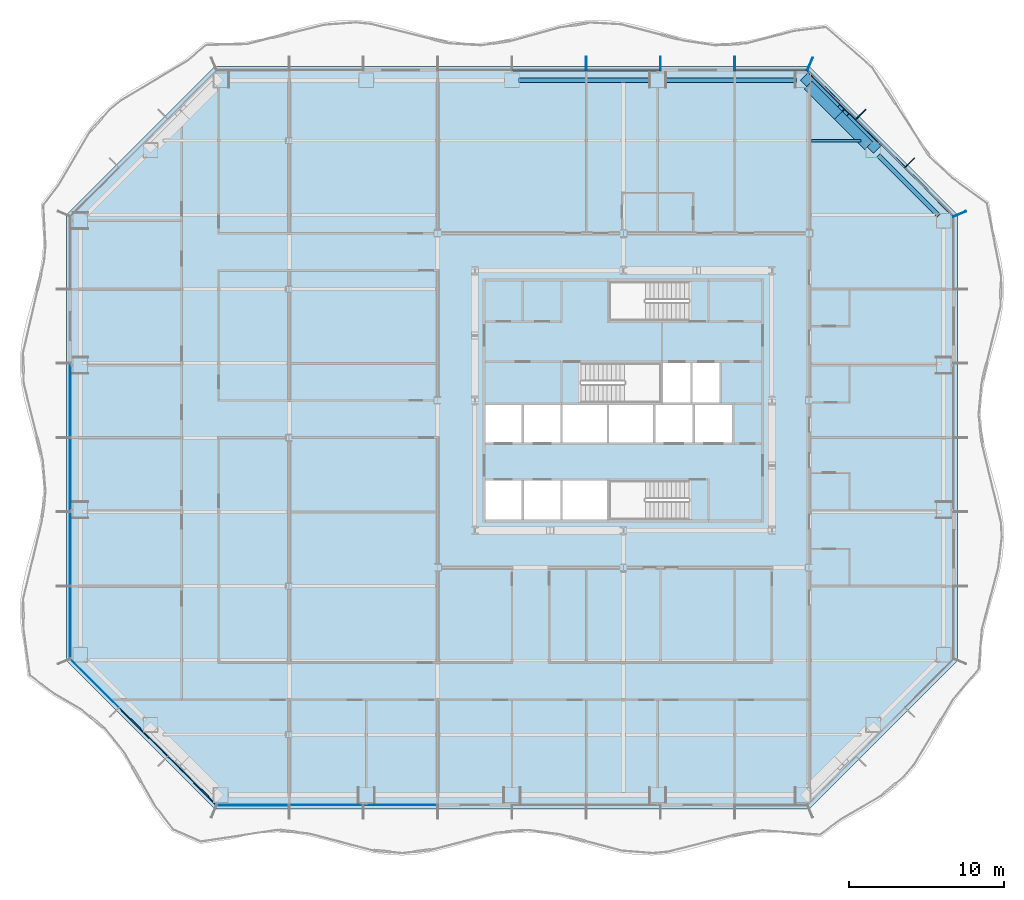
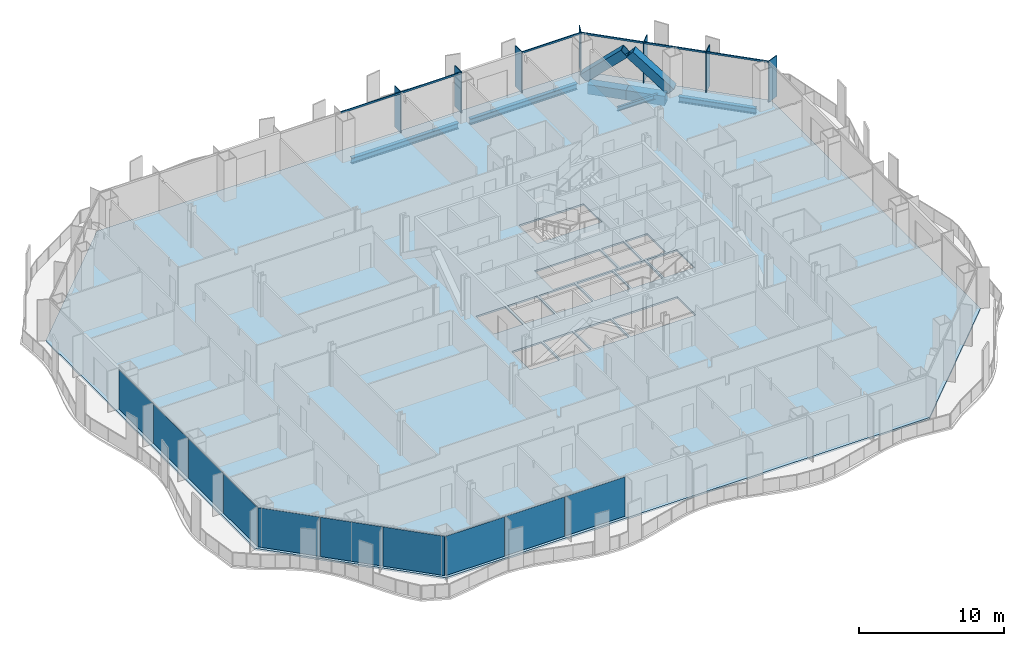
# One storey, part 4 of 21: 15 members, 10 plates, 6 beams, 1 slab, 5 elements without a shape of their own.
"""IFC4 building model written with IfcOpenShell, lengths in metres."""

from ifc_helpers import new_model, si_unit, direction, frame, origin, origin_2d, place, context, subcontext, project, spatial, polyline, rectangle, hollow_rectangle, i_section, outline, extrude, material, layer, layer_set, material_profile, profile_set, type_object, element, aggregate, save


model = new_model("IFC4")

# Units and contexts
model_context = context("Model", 3, precision=1e-05, world=origin(), true_north=direction((0.0, 1.0)))
body_context = subcontext(model_context, "Body", "Model", "MODEL_VIEW")
ifc_project = project(units=[si_unit("LENGTHUNIT", "METRE"), si_unit("AREAUNIT", "SQUARE_METRE"), si_unit("VOLUMEUNIT", "CUBIC_METRE"), si_unit("PLANEANGLEUNIT", "RADIAN"), si_unit("MASSUNIT", "GRAM", prefix="KILO")], contexts=[model_context])

# Site, building, storey
site_placement = place(None, origin())
site = spatial("IfcSite", under=ifc_project, at=site_placement, CompositionType="ELEMENT")
building_placement = place(site_placement, origin())
building = spatial("IfcBuilding", under=site, at=building_placement, Name="Cairn Pilgrim Tower", CompositionType="ELEMENT")
storey_placement = place(building_placement, frame((0.0, 0.0, 58.199951171875)))
storey = spatial("IfcBuildingStorey", under=building, at=storey_placement, Name="L12", CompositionType="ELEMENT", Elevation=58.199951171875)

# Members
ifc_material_1 = material(Name="Structural steel S460M", Category="steel")
ifc_material_profile_1 = material_profile(ifc_material_1, hollow_rectangle(XDim=0.699951171875, YDim=0.699951171875, WallThickness=0.0400390625, at=origin_2d()), Name="BOX 700x700x40")
ifc_profile_set_1 = profile_set([ifc_material_profile_1], Name="Structural steel S460M")
member_type_1 = type_object("IfcMemberType", Name="BOX 700x700x40 BRACE", PredefinedType="BRACE", material=ifc_profile_set_1)
member_1_placement = place(storey_placement, frame((23.44482421875, 18.786376953125, 0.150146484375), z_axis=(-0.528090425698, 0.528090425698, 0.665012033404), x_axis=(-0.707106781187, -0.707106781187, 0.0)))
element("IfcMember", 1, at=member_1_placement, inside=storey, type_object=member_type_1, Name="XB-NE2-N1-1", PredefinedType="BRACE", context=body_context, shape_type="SweptSolid", body=[
    extrude(hollow_rectangle(XDim=0.699951171875, YDim=0.699951171875, WallThickness=0.0400390625, at=origin_2d()), origin(), (0.0, 0.0, 1.0), 3.899658203125),
])
member_2_placement = place(storey_placement, frame((19.0498046875, 23.181396484375, 0.150146484375), z_axis=(0.528118110354, -0.528118110354, 0.664968061663), x_axis=(0.707106781187, 0.707106781187, 0.0)))
element("IfcMember", 2, at=member_2_placement, inside=storey, type_object=member_type_1, Name="XB-NE2-N1-2", PredefinedType="BRACE", context=body_context, shape_type="SweptSolid", body=[
    extrude(hollow_rectangle(XDim=0.699951171875, YDim=0.699951171875, WallThickness=0.0400390625, at=origin_2d()), origin(), (0.0, 0.0, 1.0), 3.89990234375),
])

# Beams
ifc_material_2 = material(Name="Structural steel S355J2", Category="steel")
ifc_material_profile_2 = material_profile(ifc_material_2, hollow_rectangle(XDim=0.699951171875, YDim=0.800048828125, WallThickness=0.0400390625, at=origin_2d()), Name="BOX 700x800x40")
ifc_profile_set_2 = profile_set([ifc_material_profile_2], Name="Structural steel S355J2")
beam_type_1 = type_object("IfcBeamType", Name="BOX 700x800x40 RING GIRDER", PredefinedType="SPANDREL", material=ifc_profile_set_2)
for number, where, z_axis, x_axis, name in (
    (3, (23.04541015625, 18.8818359375, -0.550048828125), (-0.707106781187, 0.707106781187, 0.0), (-0.707106781187, -0.707106781187, 0.0), "RG1-NE2-N1-1"),
    (4, (21.095458984375, 20.831787109375, -0.550048828125), (-0.707106781187, 0.707106781187, 0.0), (-0.707106781187, -0.707106781187, 0.0), "RG1-NE2-N1-2"),
):
    element("IfcBeam", number, at=place(storey_placement, frame(where, z_axis=z_axis, x_axis=x_axis)), inside=storey, type_object=beam_type_1, Name=name, PredefinedType="SPANDREL", context=body_context, shape_type="SweptSolid", body=[
        extrude(hollow_rectangle(XDim=0.699951171875, YDim=0.800048828125, WallThickness=0.0400390625, at=origin_2d()), origin(), (0.0, 0.0, 1.0), 2.757568359375),
    ])

# Curtain wall, members
ifc_material_3 = material(Name="Aluminium alloy 6063-T6 bronze anodised with Bronze tinted laminated low-E glass 8+16+8.8", Category="aluminium")
curtain_wall_type_1 = type_object("IfcCurtainWallType", Name="CHAMFER CORNER CURTAIN WALL", PredefinedType="NOTDEFINED", material=ifc_material_3)
curtain_wall_1_placement = place(storey_placement, origin())
curtain_wall_1 = element("IfcCurtainWall", 5, at=curtain_wall_1_placement, inside=storey, type_object=curtain_wall_type_1, Name="Chamfer Corner Curtain Wall NE", PredefinedType="NOTDEFINED")
ifc_material_4 = material(Name="Aluminium alloy 6063-T6 bronze anodised", Category="aluminium")
ifc_material_profile_3 = material_profile(ifc_material_4, rectangle(XDim=0.89990234375, YDim=0.06005859375, at=origin_2d()), Name="FIN MULLION 60x900 BRONZE")
ifc_profile_set_3 = profile_set([ifc_material_profile_3], Name="Aluminium alloy 6063-T6 bronze anodised")
member_type_2 = type_object("IfcMemberType", Name="FIN MULLION 60x900 BRONZE", PredefinedType="MULLION", material=ifc_profile_set_3)
member_3_placement = place(storey_placement, frame((28.93798828125, 14.457275390625, 0.0), z_axis=(0.0, 0.0, 1.0), x_axis=(0.923879532511, 0.382683432365, 0.0)))
member_3 = element("IfcMember", 6, at=member_3_placement, type_object=member_type_2, Name="Fin mullion NE1", PredefinedType="MULLION", context=body_context, shape_type="SweptSolid", body=[
    extrude(rectangle(XDim=0.89990234375, YDim=0.06005859375, at=origin_2d()), origin(), (0.0, 0.0, 1.0), 3.449951171875),
])
member_4_placement = place(storey_placement, frame((25.69580078125, 17.74462890625, 0.0), z_axis=(0.0, 0.0, 1.0), x_axis=(0.707106781187, 0.707106781187, 0.0)))
member_4 = element("IfcMember", 7, at=member_4_placement, type_object=member_type_2, Name="Fin mullion NE2", PredefinedType="MULLION", context=body_context, shape_type="SweptSolid", body=[
    extrude(rectangle(XDim=0.89990234375, YDim=0.06005859375, at=origin_2d()), origin(), (0.0, 0.0, 1.0), 3.449951171875),
])
member_5_placement = place(storey_placement, frame((22.544677734375, 20.895751953125, 0.0), z_axis=(0.0, 0.0, 1.0), x_axis=(0.707106781187, 0.707106781187, 0.0)))
member_5 = element("IfcMember", 8, at=member_5_placement, type_object=member_type_2, Name="Fin mullion NE3", PredefinedType="MULLION", context=body_context, shape_type="SweptSolid", body=[
    extrude(rectangle(XDim=0.89990234375, YDim=0.06005859375, at=origin_2d()), origin(), (0.0, 0.0, 1.0), 3.449951171875),
])

curtain_wall_type_2 = type_object("IfcCurtainWallType", Name="TOWER STICK CURTAIN WALL NS", PredefinedType="NOTDEFINED", material=ifc_material_3)
curtain_wall_2_placement = place(storey_placement, origin())
curtain_wall_2 = element("IfcCurtainWall", 9, at=curtain_wall_2_placement, inside=storey, type_object=curtain_wall_type_2, Name="Tower Stick Curtain Wall Ns N", PredefinedType="NOTDEFINED")
member_6_placement = place(storey_placement, frame((19.257080078125, 24.137939453125, 0.0), z_axis=(0.0, 0.0, 1.0), x_axis=(0.382683432365, 0.923879532511, 0.0)))
member_6 = element("IfcMember", 10, at=member_6_placement, type_object=member_type_2, Name="Fin mullion N1", PredefinedType="MULLION", context=body_context, shape_type="SweptSolid", body=[
    extrude(rectangle(XDim=0.89990234375, YDim=0.06005859375, at=origin_2d()), origin(), (0.0, 0.0, 1.0), 3.449951171875),
])
member_7_placement = place(storey_placement, frame((14.39990234375, 24.169921875, 0.0), z_axis=(0.0, 0.0, 1.0), x_axis=(0.0, 1.0, 0.0)))
member_7 = element("IfcMember", 11, at=member_7_placement, type_object=member_type_2, Name="Fin mullion N2", PredefinedType="MULLION", context=body_context, shape_type="SweptSolid", body=[
    extrude(rectangle(XDim=0.89990234375, YDim=0.06005859375, at=origin_2d()), origin(), (0.0, 0.0, 1.0), 3.449951171875),
])
member_8_placement = place(storey_placement, frame((9.60009765625, 24.169921875, 0.0), z_axis=(0.0, 0.0, 1.0), x_axis=(0.0, 1.0, 0.0)))
member_8 = element("IfcMember", 12, at=member_8_placement, type_object=member_type_2, Name="Fin mullion N3", PredefinedType="MULLION", context=body_context, shape_type="SweptSolid", body=[
    extrude(rectangle(XDim=0.89990234375, YDim=0.06005859375, at=origin_2d()), origin(), (0.0, 0.0, 1.0), 3.449951171875),
])
member_9_placement = place(storey_placement, frame((4.800048828125, 24.169921875, 0.0), z_axis=(0.0, 0.0, 1.0), x_axis=(0.0, 1.0, 0.0)))
member_9 = element("IfcMember", 13, at=member_9_placement, type_object=member_type_2, Name="Fin mullion N4", PredefinedType="MULLION", context=body_context, shape_type="SweptSolid", body=[
    extrude(rectangle(XDim=0.89990234375, YDim=0.06005859375, at=origin_2d()), origin(), (0.0, 0.0, 1.0), 3.449951171875),
])

# Beams
ifc_material_profile_4 = material_profile(ifc_material_2, i_section(OverallWidth=0.300048828125, OverallDepth=0.5, WebThickness=0.014404296875, FlangeThickness=0.028076171875, FilletRadius=0.027099609375, at=origin_2d()), Name="HEB 500")
ifc_profile_set_4 = profile_set([ifc_material_profile_4], Name="Structural steel S355J2")
beam_type_2 = type_object("IfcBeamType", Name="HEB 500 RING GIRDER", PredefinedType="SPANDREL", material=ifc_profile_set_4)
beam_1_placement = place(storey_placement, frame((27.581787109375, 14.345458984375, -0.39990234375), z_axis=(-0.707106781187, 0.707106781187, 0.0), x_axis=(-0.707106781187, -0.707106781187, 0.0)))
element("IfcBeam", 14, at=beam_1_placement, inside=storey, type_object=beam_type_2, Name="RG1-NE1-NE2", PredefinedType="SPANDREL", context=body_context, shape_type="SweptSolid", body=[
    extrude(i_section(OverallWidth=0.300048828125, OverallDepth=0.5, WebThickness=0.014404296875, FlangeThickness=0.028076171875, FilletRadius=0.027099609375, at=origin_2d()), origin(), (0.0, 0.0, 1.0), 5.515380859375),
])
for number, where, z_axis, x_axis, name in (
    (15, (18.377197265625, 23.10009765625, -0.39990234375), (-1.0, 0.0, 0.0), (0.0, -1.0, 0.0), "RG1-N1-N2"),
    (16, (8.963623046875, 23.10009765625, -0.39990234375), (-1.0, 0.0, 0.0), (0.0, -1.0, 0.0), "RG1-N2-N3"),
):
    element("IfcBeam", number, at=place(storey_placement, frame(where, z_axis=z_axis, x_axis=x_axis)), inside=storey, type_object=beam_type_2, Name=name, PredefinedType="SPANDREL", context=body_context, shape_type="SweptSolid", body=[
        extrude(i_section(OverallWidth=0.300048828125, OverallDepth=0.5, WebThickness=0.014404296875, FlangeThickness=0.028076171875, FilletRadius=0.027099609375, at=origin_2d()), origin(), (0.0, 0.0, 1.0), 8.513671875),
    ])
ifc_material_profile_5 = material_profile(ifc_material_2, i_section(OverallWidth=0.169921875, OverallDepth=0.360107421875, WebThickness=0.008056640625, FlangeThickness=0.0126953125, FilletRadius=0.01806640625, at=origin_2d()), Name="IPE 360")
ifc_profile_set_5 = profile_set([ifc_material_profile_5], Name="Structural steel S355J2")
beam_type_3 = type_object("IfcBeamType", Name="IPE 360 SECONDARY BEAM", PredefinedType="JOIST", material=ifc_profile_set_5)
beam_2_placement = place(storey_placement, frame((19.35009765625, 19.199951171875, -0.329833984375), z_axis=(1.0, 0.0, 0.0), x_axis=(0.0, 1.0, 0.0)))
element("IfcBeam", 17, at=beam_2_placement, inside=storey, type_object=beam_type_3, Name="SB9-5", PredefinedType="JOIST", context=body_context, shape_type="SweptSolid", body=[
    extrude(i_section(OverallWidth=0.169921875, OverallDepth=0.360107421875, WebThickness=0.008056640625, FlangeThickness=0.0126953125, FilletRadius=0.01806640625, at=origin_2d()), origin(), (0.0, 0.0, 1.0), 3.195068359375),
])

# Member
ifc_material_profile_6 = material_profile(ifc_material_4, rectangle(XDim=0.080078125, YDim=0.14990234375, at=origin_2d()), Name="TRANSOM 80x150 BRONZE")
ifc_profile_set_6 = profile_set([ifc_material_profile_6], Name="Aluminium alloy 6063-T6 bronze anodised")
member_type_3 = type_object("IfcMemberType", Name="TRANSOM 80x150 BRONZE", PredefinedType="USERDEFINED", material=ifc_profile_set_6)
member_10_placement = place(storey_placement, frame((28.521728515625, 14.32470703125, 3.375), z_axis=(-0.707106781187, 0.707106781187, 0.0), x_axis=(-0.707106781187, -0.707106781187, 0.0)))
member_10 = element("IfcMember", 18, at=member_10_placement, type_object=member_type_3, Name="Transom NE1", ObjectType="TRANSOM", PredefinedType="USERDEFINED", context=body_context, shape_type="SweptSolid", body=[
    extrude(rectangle(XDim=0.080078125, YDim=0.14990234375, at=origin_2d()), origin(), (0.0, 0.0, 1.0), 4.38671875),
])

member_11_placement = place(storey_placement, frame((25.377685546875, 17.46875, 3.375), z_axis=(-0.707106781187, 0.707106781187, 0.0), x_axis=(-0.707106781187, -0.707106781187, 0.0)))
member_11 = element("IfcMember", 19, at=member_11_placement, type_object=member_type_3, Name="Transom NE2", ObjectType="TRANSOM", PredefinedType="USERDEFINED", context=body_context, shape_type="SweptSolid", body=[
    extrude(rectangle(XDim=0.080078125, YDim=0.14990234375, at=origin_2d()), origin(), (0.0, 0.0, 1.0), 4.396728515625),
])

member_12_placement = place(storey_placement, frame((22.226318359375, 20.6201171875, 3.375), z_axis=(-0.707106781187, 0.707106781187, 0.0), x_axis=(-0.707106781187, -0.707106781187, 0.0)))
member_12 = element("IfcMember", 20, at=member_12_placement, type_object=member_type_3, Name="Transom NE3", ObjectType="TRANSOM", PredefinedType="USERDEFINED", context=body_context, shape_type="SweptSolid", body=[
    extrude(rectangle(XDim=0.080078125, YDim=0.14990234375, at=origin_2d()), origin(), (0.0, 0.0, 1.0), 4.38623046875),
])

aggregate(curtain_wall_1, [member_3, member_4, member_5, member_10, member_11, member_12])

member_13_placement = place(storey_placement, frame((19.056396484375, 23.75, 3.375), z_axis=(-1.0, 0.0, 0.0), x_axis=(0.0, -1.0, 0.0)))
member_13 = element("IfcMember", 21, at=member_13_placement, type_object=member_type_3, Name="Transom N1", ObjectType="TRANSOM", PredefinedType="USERDEFINED", context=body_context, shape_type="SweptSolid", body=[
    extrude(rectangle(XDim=0.080078125, YDim=0.14990234375, at=origin_2d()), origin(), (0.0, 0.0, 1.0), 4.62646484375),
])

member_14_placement = place(storey_placement, frame((9.570068359375, 23.75, 3.375), z_axis=(-1.0, 0.0, 0.0), x_axis=(0.0, -1.0, 0.0)))
member_14 = element("IfcMember", 22, at=member_14_placement, type_object=member_type_3, Name="Transom N3", ObjectType="TRANSOM", PredefinedType="USERDEFINED", context=body_context, shape_type="SweptSolid", body=[
    extrude(rectangle(XDim=0.080078125, YDim=0.14990234375, at=origin_2d()), origin(), (0.0, 0.0, 1.0), 4.739990234375),
])

member_15_placement = place(storey_placement, frame((4.77001953125, 23.75, 3.375), z_axis=(-1.0, 0.0, 0.0), x_axis=(0.0, -1.0, 0.0)))
member_15 = element("IfcMember", 23, at=member_15_placement, type_object=member_type_3, Name="Transom N4", ObjectType="TRANSOM", PredefinedType="USERDEFINED", context=body_context, shape_type="SweptSolid", body=[
    extrude(rectangle(XDim=0.080078125, YDim=0.14990234375, at=origin_2d()), origin(), (0.0, 0.0, 1.0), 4.739990234375),
])

aggregate(curtain_wall_2, [member_6, member_7, member_8, member_9, member_13, member_14, member_15])

# Slab
ifc_material_5 = material(Name="Concrete C35/45", Category="concrete")
ifc_layer_1 = layer(ifc_material_5, 0.14990234375)
ifc_layer_set_1 = layer_set([ifc_layer_1], Name="COMPOSITE FLOOR SLAB 150")
slab_type = type_object("IfcSlabType", Name="COMPOSITE FLOOR SLAB 150", PredefinedType="FLOOR", material=ifc_layer_set_1)
slab_placement = place(storey_placement, frame((0.0, 0.0, -0.14990234375)))
element("IfcSlab", 24, at=slab_placement, inside=storey, type_object=slab_type, Name="FLOOR SLAB L12", PredefinedType="FLOOR", context=body_context, shape_type="SweptSolid", body=[
    extrude(outline(polyline([(-19.199951171875, -24.0), (19.199951171875, -24.0), (28.800048828125, -14.39990234375), (28.800048828125, 14.39990234375), (19.199951171875, 24.0), (-19.199951171875, 24.0), (-28.800048828125, 14.39990234375), (-28.800048828125, -14.39990234375), (-19.199951171875, -24.0)]), holes=[polyline([(-1.72509765625, -5.300048828125), (0.625, -5.300048828125), (0.625, -2.77490234375), (-1.72509765625, -2.77490234375), (-1.72509765625, -5.300048828125)]), polyline([(0.77490234375, -5.300048828125), (3.125, -5.300048828125), (3.125, -2.77490234375), (0.77490234375, -2.77490234375), (0.77490234375, -5.300048828125)]), polyline([(-1.72509765625, -0.324951171875), (0.625, -0.324951171875), (0.625, 2.125), (-1.72509765625, 2.125), (-1.72509765625, -0.324951171875)]), polyline([(0.77490234375, -0.324951171875), (3.125, -0.324951171875), (3.125, 2.125), (0.77490234375, 2.125), (0.77490234375, -0.324951171875)]), polyline([(3.27490234375, -5.300048828125), (6.125, -5.300048828125), (6.125, -2.77490234375), (3.27490234375, -2.77490234375), (3.27490234375, -5.300048828125)]), polyline([(3.27490234375, -0.324951171875), (6.125, -0.324951171875), (6.125, 2.125), (3.27490234375, 2.125), (3.27490234375, -0.324951171875)]), polyline([(6.27490234375, -0.324951171875), (9.125, -0.324951171875), (9.125, 2.125), (6.27490234375, 2.125), (6.27490234375, -0.324951171875)]), polyline([(9.27490234375, -0.324951171875), (11.675048828125, -0.324951171875), (11.675048828125, 2.125), (9.27490234375, 2.125), (9.27490234375, -0.324951171875)]), polyline([(11.824951171875, -0.324951171875), (14.22509765625, -0.324951171875), (14.22509765625, 2.125), (11.824951171875, 2.125), (11.824951171875, -0.324951171875)]), polyline([(9.77490234375, 2.27490234375), (11.52490234375, 2.27490234375), (11.52490234375, 4.824951171875), (9.77490234375, 4.824951171875), (9.77490234375, 2.27490234375)]), polyline([(11.675048828125, 2.27490234375), (13.425048828125, 2.27490234375), (13.425048828125, 4.824951171875), (11.675048828125, 4.824951171875), (11.675048828125, 2.27490234375)]), polyline([(11.424560546875, -2.77490234375), (6.27490234375, -2.77490234375), (6.27490234375, -5.300048828125), (11.424560546875, -5.300048828125), (11.424560546875, -2.77490234375)]), polyline([(4.4755859375, 2.27490234375), (9.625, 2.27490234375), (9.625, 4.824951171875), (4.4755859375, 4.824951171875), (4.4755859375, 2.27490234375)]), polyline([(11.424560546875, 10.10009765625), (6.27490234375, 10.10009765625), (6.27490234375, 7.574951171875), (11.424560546875, 7.574951171875), (11.424560546875, 10.10009765625)])]), origin(), (0.0, 0.0, 1.0), 0.14990234375),
])

# Curtain wall, plates
curtain_wall_3_placement = place(storey_placement, origin())
curtain_wall_3 = element("IfcCurtainWall", 25, at=curtain_wall_3_placement, inside=storey, type_object=curtain_wall_type_1, Name="Chamfer Corner Curtain Wall SW", PredefinedType="NOTDEFINED")
ifc_material_6 = material(Name="Bronze anodised aluminium spandrel panel with mineral wool insulation", Category="aluminium")
ifc_layer_2 = layer(ifc_material_6, 0.06005859375)
ifc_layer_set_2 = layer_set([ifc_layer_2], Name="SPANDREL PANEL 4386x3300")
plate_type_1 = type_object("IfcPlateType", Name="SPANDREL PANEL 4386x3300", PredefinedType="CURTAIN_PANEL", material=ifc_layer_set_2)
plate_1_placement = place(storey_placement, frame((-20.675537109375, -22.1708984375, 0.0), z_axis=(0.0, 0.0, 1.0), x_axis=(0.707106781187, -0.707106781187, 0.0)))
plate_1 = element("IfcPlate", 26, at=plate_1_placement, type_object=plate_type_1, Name="Spandrel Panel SW3-1", PredefinedType="CURTAIN_PANEL", context=body_context, shape_type="SweptSolid", body=[
    extrude(rectangle(XDim=4.386474609375, YDim=0.06005859375, at=origin_2d()), origin(), (0.0, 0.0, 1.0), 3.300048828125),
])
ifc_layer_3 = layer(ifc_material_6, 0.06005859375)
ifc_layer_set_3 = layer_set([ifc_layer_3], Name="SPANDREL PANEL 4396x3300")
plate_type_2 = type_object("IfcPlateType", Name="SPANDREL PANEL 4396x3300", PredefinedType="CURTAIN_PANEL", material=ifc_layer_set_3)
plate_2_placement = place(storey_placement, frame((-23.8232421875, -19.023193359375, 0.0), z_axis=(0.0, 0.0, 1.0), x_axis=(0.707106781187, -0.707106781187, 0.0)))
plate_2 = element("IfcPlate", 27, at=plate_2_placement, type_object=plate_type_2, Name="Spandrel Panel SW2-1", PredefinedType="CURTAIN_PANEL", context=body_context, shape_type="SweptSolid", body=[
    extrude(rectangle(XDim=4.396484375, YDim=0.06005859375, at=origin_2d()), origin(), (0.0, 0.0, 1.0), 3.300048828125),
])

# Curtain wall, plate
curtain_wall_4_placement = place(storey_placement, origin())
curtain_wall_4 = element("IfcCurtainWall", 28, at=curtain_wall_4_placement, inside=storey, type_object=curtain_wall_type_2, Name="Tower Stick Curtain Wall Ns S", PredefinedType="NOTDEFINED")
ifc_layer_4 = layer(ifc_material_6, 0.06005859375)
ifc_layer_set_4 = layer_set([ifc_layer_4], Name="SPANDREL PANEL 4626x3300")
plate_type_3 = type_object("IfcPlateType", Name="SPANDREL PANEL 4626x3300", PredefinedType="CURTAIN_PANEL", material=ifc_layer_set_4)
plate_3_placement = place(storey_placement, frame((-16.7431640625, -23.75, 0.0), z_axis=(0.0, 0.0, 1.0), x_axis=(1.0, 0.0, 0.0)))
plate_3 = element("IfcPlate", 29, at=plate_3_placement, type_object=plate_type_3, Name="Spandrel Panel S1-1", PredefinedType="CURTAIN_PANEL", context=body_context, shape_type="SweptSolid", body=[
    extrude(rectangle(XDim=4.62646484375, YDim=0.06005859375, at=origin_2d()), origin(), (0.0, 0.0, 1.0), 3.300048828125),
])

# Plate
ifc_material_7 = material(Name="Bronze tinted laminated low-E glass 8+16+8.8", Category="glass")
ifc_layer_5 = layer(ifc_material_7, 0.033935546875)
ifc_layer_set_5 = layer_set([ifc_layer_5], Name="VISION GLAZING 4386x3300")
plate_type_4 = type_object("IfcPlateType", Name="VISION GLAZING 4386x3300", PredefinedType="CURTAIN_PANEL", material=ifc_layer_set_5)
plate_4_placement = place(storey_placement, frame((-26.970947265625, -15.87548828125, 0.0), z_axis=(0.0, 0.0, 1.0), x_axis=(0.707106781187, -0.707106781187, 0.0)))
plate_4 = element("IfcPlate", 30, at=plate_4_placement, type_object=plate_type_4, Name="Vision Glazing SW1-1", PredefinedType="CURTAIN_PANEL", context=body_context, shape_type="SweptSolid", body=[
    extrude(rectangle(XDim=4.386474609375, YDim=0.033935546875, at=origin_2d()), origin(), (0.0, 0.0, 1.0), 3.300048828125),
])

aggregate(curtain_wall_3, [plate_4, plate_2, plate_1])

# Curtain wall, plate
curtain_wall_type_3 = type_object("IfcCurtainWallType", Name="TOWER STICK CURTAIN WALL EW", PredefinedType="NOTDEFINED", material=ifc_material_3)
curtain_wall_5_placement = place(storey_placement, origin())
curtain_wall_5 = element("IfcCurtainWall", 31, at=curtain_wall_5_placement, inside=storey, type_object=curtain_wall_type_3, Name="Tower Stick Curtain Wall Ew W", PredefinedType="NOTDEFINED")
ifc_layer_6 = layer(ifc_material_7, 0.033935546875)
ifc_layer_set_6 = layer_set([ifc_layer_6], Name="VISION GLAZING 4626x3300")
plate_type_5 = type_object("IfcPlateType", Name="VISION GLAZING 4626x3300", PredefinedType="CURTAIN_PANEL", material=ifc_layer_set_6)
plate_5_placement = place(storey_placement, frame((-28.550048828125, -11.943115234375, 0.0), z_axis=(0.0, 0.0, 1.0), x_axis=(0.0, -1.0, 0.0)))
plate_5 = element("IfcPlate", 32, at=plate_5_placement, type_object=plate_type_5, Name="Vision Glazing W6-1", PredefinedType="CURTAIN_PANEL", context=body_context, shape_type="SweptSolid", body=[
    extrude(rectangle(XDim=4.62646484375, YDim=0.033935546875, at=origin_2d()), origin(), (0.0, 0.0, 1.0), 3.300048828125),
])

# Plate
ifc_layer_7 = layer(ifc_material_7, 0.033935546875)
ifc_layer_set_7 = layer_set([ifc_layer_7], Name="VISION GLAZING 4740x3300")
plate_type_6 = type_object("IfcPlateType", Name="VISION GLAZING 4740x3300", PredefinedType="CURTAIN_PANEL", material=ifc_layer_set_7)
plate_6_placement = place(storey_placement, frame((-12.0, -23.75, 0.0), z_axis=(0.0, 0.0, 1.0), x_axis=(1.0, 0.0, 0.0)))
plate_6 = element("IfcPlate", 33, at=plate_6_placement, type_object=plate_type_6, Name="Vision Glazing S2-1", PredefinedType="CURTAIN_PANEL", context=body_context, shape_type="SweptSolid", body=[
    extrude(rectangle(XDim=4.739990234375, YDim=0.033935546875, at=origin_2d()), origin(), (0.0, 0.0, 1.0), 3.300048828125),
])

plate_7_placement = place(storey_placement, frame((-7.199951171875, -23.75, 0.0), z_axis=(0.0, 0.0, 1.0), x_axis=(1.0, 0.0, 0.0)))
plate_7 = element("IfcPlate", 34, at=plate_7_placement, type_object=plate_type_6, Name="Vision Glazing S3-1", PredefinedType="CURTAIN_PANEL", context=body_context, shape_type="SweptSolid", body=[
    extrude(rectangle(XDim=4.739990234375, YDim=0.033935546875, at=origin_2d()), origin(), (0.0, 0.0, 1.0), 3.300048828125),
])

aggregate(curtain_wall_4, [plate_3, plate_6, plate_7])

plate_8_placement = place(storey_placement, frame((-28.550048828125, 2.39990234375, 0.0), z_axis=(0.0, 0.0, 1.0), x_axis=(0.0, -1.0, 0.0)))
plate_8 = element("IfcPlate", 35, at=plate_8_placement, type_object=plate_type_6, Name="Vision Glazing W3-1", PredefinedType="CURTAIN_PANEL", context=body_context, shape_type="SweptSolid", body=[
    extrude(rectangle(XDim=4.739990234375, YDim=0.033935546875, at=origin_2d()), origin(), (0.0, 0.0, 1.0), 3.300048828125),
])

plate_9_placement = place(storey_placement, frame((-28.550048828125, -2.39990234375, 0.0), z_axis=(0.0, 0.0, 1.0), x_axis=(0.0, -1.0, 0.0)))
plate_9 = element("IfcPlate", 36, at=plate_9_placement, type_object=plate_type_6, Name="Vision Glazing W4-1", PredefinedType="CURTAIN_PANEL", context=body_context, shape_type="SweptSolid", body=[
    extrude(rectangle(XDim=4.739990234375, YDim=0.033935546875, at=origin_2d()), origin(), (0.0, 0.0, 1.0), 3.300048828125),
])

plate_10_placement = place(storey_placement, frame((-28.550048828125, -7.199951171875, 0.0), z_axis=(0.0, 0.0, 1.0), x_axis=(0.0, -1.0, 0.0)))
plate_10 = element("IfcPlate", 37, at=plate_10_placement, type_object=plate_type_6, Name="Vision Glazing W5-1", PredefinedType="CURTAIN_PANEL", context=body_context, shape_type="SweptSolid", body=[
    extrude(rectangle(XDim=4.739990234375, YDim=0.033935546875, at=origin_2d()), origin(), (0.0, 0.0, 1.0), 3.300048828125),
])

aggregate(curtain_wall_5, [plate_8, plate_9, plate_10, plate_5])

save(model, "model.ifc")
